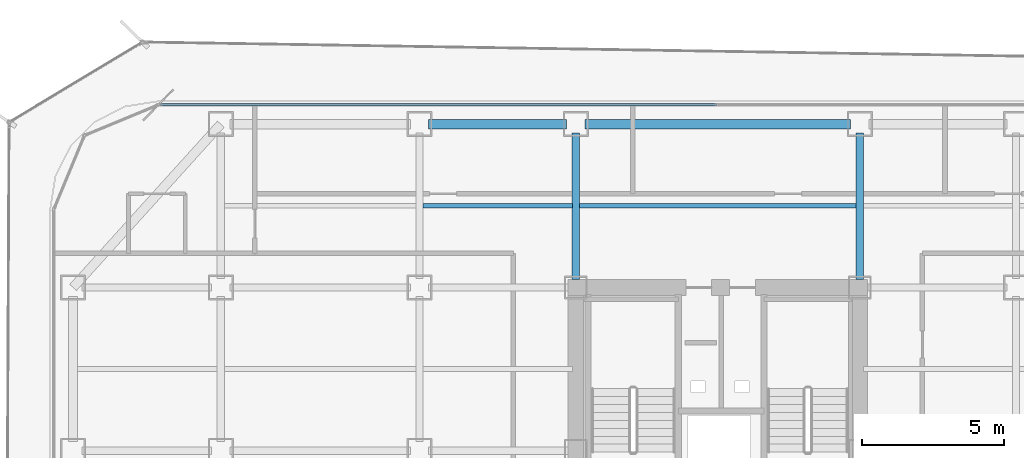
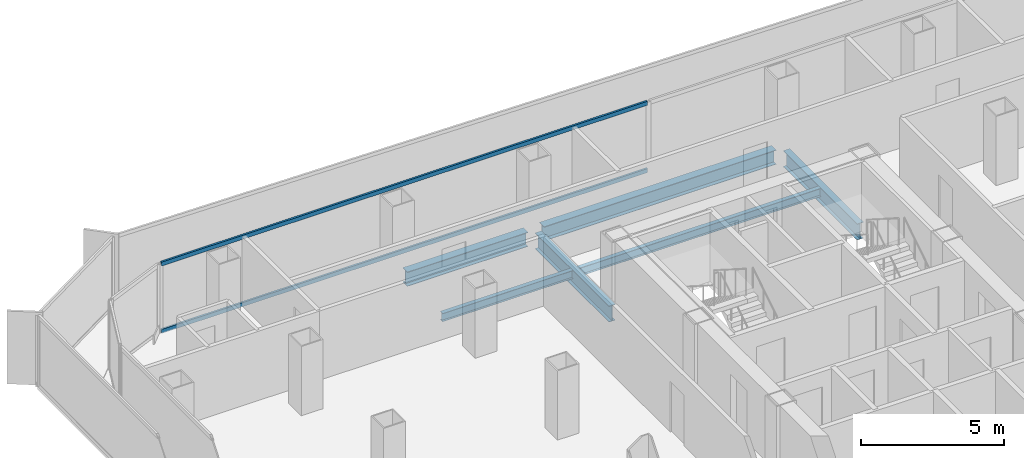
# One storey, part 11 of 21: 6 beams, 2 members, 1 element without a shape of its own.
"""IFC4 building model written with IfcOpenShell, lengths in metres."""

import ifcopenshell
import ifcopenshell.guid

model = None  # the IFC model being written
_history = None  # IfcOwnerHistory: only IFC2X3 demands one
_inside = {}  # id of a spatial element -> (the spatial element, [elements in it])
_under = {}  # id of a project, library or spatial element -> (it, [spatial elements below it])
_declared = {}  # id of a project -> (the project, [libraries it declares])
_typed = {}  # id of a type object -> (the type object, [elements of that type])
_made_of = {}  # id of a material, layer set ... -> (it, [elements and type objects made of it])


def new_model(schema):
    """Start an empty IFC model of exactly this schema.

    Asked for "IFC4X3", IfcOpenShell would pick the latest addendum, in which some entities
    have other attributes; the version numbers below select the first issue.
    IFC2X3 requires an IfcOwnerHistory on every rooted entity: one is made here for all.
    """
    global model, _history
    if schema == "IFC4X3":
        model = ifcopenshell.file(schema_version=(4, 3, 0, 0))
    else:
        model = ifcopenshell.file(schema=schema)
    _inside.clear()
    _under.clear()
    _declared.clear()
    _typed.clear()
    _made_of.clear()
    _history = None
    if model.schema == "IFC2X3":
        org = make("IfcOrganization", Name="unknown")
        user = make(
            "IfcPersonAndOrganization",
            ThePerson=make("IfcPerson", FamilyName="unknown"),
            TheOrganization=org,
        )
        app = make(
            "IfcApplication",
            ApplicationDeveloper=org,
            Version="unknown",
            ApplicationFullName="unknown",
            ApplicationIdentifier="unknown",
        )
        _history = make(
            "IfcOwnerHistory",
            OwningUser=user,
            OwningApplication=app,
            ChangeAction="ADDED",
            CreationDate=0,
        )
    return model


def make(cls, **values):
    """One entity of the class cls with the attributes given. An attribute that is None is left unset."""
    return model.create_entity(
        cls, **{name: value for name, value in values.items() if value is not None}
    )


def rooted(cls, **values):
    """An entity with a GlobalId (a new one), such as an element, a storey or a relation."""
    return make(cls, GlobalId=ifcopenshell.guid.new(), OwnerHistory=_history, **values)


def si_unit(unit_type, name, prefix=None):
    """IfcSIUnit, for example si_unit("LENGTHUNIT", "METRE", prefix="MILLI")."""
    return make("IfcSIUnit", UnitType=unit_type, Prefix=prefix, Name=name)


def assignment(units):
    """IfcUnitAssignment: the units of a project."""
    return None if units is None else make("IfcUnitAssignment", Units=units)


def point(xyz):
    """IfcCartesianPoint."""
    return None if xyz is None else make("IfcCartesianPoint", Coordinates=xyz)


def direction(xyz):
    """IfcDirection."""
    return None if xyz is None else make("IfcDirection", DirectionRatios=xyz)


def frame(location, z_axis=None, x_axis=None):
    """IfcAxis2Placement3D, a coordinate frame: its origin and axes. An axis left out is left unset."""
    return make(
        "IfcAxis2Placement3D",
        Location=point(location),
        Axis=direction(z_axis),
        RefDirection=direction(x_axis),
    )


def frame_2d(location, x_axis=None):
    """IfcAxis2Placement2D, a coordinate frame in the plane: its origin and x axis."""
    return make(
        "IfcAxis2Placement2D", Location=point(location), RefDirection=direction(x_axis)
    )


def origin():
    """The frame at (0, 0, 0) with its axes left unset."""
    return frame((0.0, 0.0, 0.0))


def origin_2d():
    """The frame at (0, 0) in the plane with its x axis left unset."""
    return frame_2d((0.0, 0.0))


def place(relative_to, where):
    """IfcLocalPlacement: puts the frame where relative to a parent placement (None: the world)."""
    return make(
        "IfcLocalPlacement", PlacementRelTo=relative_to, RelativePlacement=where
    )


def context(
    kind, dimensions, precision=None, world=None, true_north=None, identifier=None
):
    """IfcGeometricRepresentationContext, for example the 3D "Model" context."""
    return make(
        "IfcGeometricRepresentationContext",
        ContextIdentifier=identifier,
        ContextType=kind,
        CoordinateSpaceDimension=dimensions,
        Precision=precision,
        WorldCoordinateSystem=world,
        TrueNorth=true_north,
    )


def subcontext(parent, identifier, kind, view, scale=None):
    """IfcGeometricRepresentationSubContext, for example "Body" below "Model"."""
    return make(
        "IfcGeometricRepresentationSubContext",
        ContextIdentifier=identifier,
        ContextType=kind,
        ParentContext=parent,
        TargetScale=scale,
        TargetView=view,
    )


def project(units=None, contexts=None):
    """IfcProject with its units and contexts."""
    return rooted(
        "IfcProject",
        Name="project",
        RepresentationContexts=contexts,
        UnitsInContext=assignment(units),
    )


def spatial(cls, under=None, at=None, **own):
    """A site, building, storey or space (cls), placed at a placement, below another one or the project."""
    s = rooted(cls, ObjectPlacement=at, **own)
    if under is not None:
        _under.setdefault(under.id(), (under, []))[1].append(s)
    return s


def profile(cls, at=None, kind="AREA", **sizes):
    """A parametric profile (cls). Its sizes go by their IFC names, for example OverallWidth=200.0."""
    return make(cls, ProfileType=kind, Position=at, **sizes)


def hollow_rectangle(**sizes):
    """IfcRectangleHollowProfileDef."""
    return profile("IfcRectangleHollowProfileDef", **sizes)


def i_section(**sizes):
    """IfcIShapeProfileDef."""
    return profile("IfcIShapeProfileDef", **sizes)


def extrude(swept, where, along, depth):
    """IfcExtrudedAreaSolid: the profile swept, set in the frame where, extruded along a direction by depth."""
    return make(
        "IfcExtrudedAreaSolid",
        SweptArea=swept,
        Position=where,
        ExtrudedDirection=direction(along),
        Depth=depth,
    )


def shape(context_of_items, identifier, shape_type, items):
    """IfcShapeRepresentation: the items that make up one representation, for example the "Body"."""
    return make(
        "IfcShapeRepresentation",
        ContextOfItems=context_of_items,
        RepresentationIdentifier=identifier,
        RepresentationType=shape_type,
        Items=items,
    )


def source(mapping_origin, context_of_items, identifier, shape_type, items):
    """IfcRepresentationMap: a shape defined once, which mapped items show again and again."""
    return make(
        "IfcRepresentationMap",
        MappingOrigin=mapping_origin,
        MappedRepresentation=shape(context_of_items, identifier, shape_type, items),
    )


def transform(
    local_origin,
    x_axis=None,
    y_axis=None,
    z_axis=None,
    scale=None,
    scale2=None,
    scale3=None,
    uniform=True,
):
    """IfcCartesianTransformationOperator3D, or its non-uniform kind. x_axis, y_axis, z_axis: its Axis1, 2, 3."""
    if uniform:
        return make(
            "IfcCartesianTransformationOperator3D",
            Axis1=direction(x_axis),
            Axis2=direction(y_axis),
            LocalOrigin=point(local_origin),
            Scale=scale,
            Axis3=direction(z_axis),
        )
    return make(
        "IfcCartesianTransformationOperator3DnonUniform",
        Axis1=direction(x_axis),
        Axis2=direction(y_axis),
        LocalOrigin=point(local_origin),
        Scale=scale,
        Axis3=direction(z_axis),
        Scale2=scale2,
        Scale3=scale3,
    )


def mapped(mapping_source, mapping_target):
    """IfcMappedItem: shows the shape of a source again, moved by a transform."""
    return make(
        "IfcMappedItem", MappingSource=mapping_source, MappingTarget=mapping_target
    )


def material(Name=None, Category=None):
    """IfcMaterial."""
    return make("IfcMaterial", Name=Name, Category=Category)


def layer(
    of_material, thickness, ventilated=None, Name=None, Category=None, Priority=None
):
    """IfcMaterialLayer: one layer of a wall or slab, of a material (None: an air gap)."""
    return make(
        "IfcMaterialLayer",
        Material=of_material,
        LayerThickness=thickness,
        IsVentilated=ventilated,
        Name=Name,
        Category=Category,
        Priority=Priority,
    )


def layer_set(layers, Name=None):
    """IfcMaterialLayerSet."""
    return make("IfcMaterialLayerSet", MaterialLayers=layers, LayerSetName=Name)


def material_profile(
    of_material, cross_section, Name=None, Category=None, Priority=None
):
    """IfcMaterialProfile: a cross section and its material."""
    return make(
        "IfcMaterialProfile",
        Name=Name,
        Material=of_material,
        Profile=cross_section,
        Priority=Priority,
        Category=Category,
    )


def profile_set(profiles, Name=None, composite=None):
    """IfcMaterialProfileSet."""
    return make(
        "IfcMaterialProfileSet",
        Name=Name,
        MaterialProfiles=profiles,
        CompositeProfile=composite,
    )


def made_of(thing, what):
    """Note that an element or type object is made of a material, layer set ...; save() writes the relation."""
    if what is not None:
        _made_of.setdefault(what.id(), (what, []))[1].append(thing)
    return thing


def type_object(cls, material=None, **own):
    """A type object (cls), such as IfcWallType, which elements share."""
    return made_of(rooted(cls, **own), material)


def element(
    cls,
    number,
    at=None,
    inside=None,
    cuts=None,
    type_object=None,
    material=None,
    context=None,
    identifier="Body",
    shape_type=None,
    held_by="IfcProductDefinitionShape",
    body=None,
    shapes=None,
    **own,
):
    """One element of the class cls, such as IfcWall. Its Tag is "e" and its number.

    at: its placement. inside: the storey or other place that contains it. cuts: it is an
    opening in that element (IfcRelVoidsElement). A single representation is given by context,
    identifier, shape_type and body (its items); several are given by shapes. held_by: the class
    of the entity that holds the representations. save() writes the other relations.
    """
    e = rooted(cls, Tag="e%d" % number, ObjectPlacement=at, **own)
    if body is not None:
        shapes = [shape(context, identifier, shape_type, body)]
    if shapes is not None:
        e.Representation = make(held_by, Representations=shapes)
    if inside is not None:
        _inside.setdefault(inside.id(), (inside, []))[1].append(e)
    if cuts is not None:
        rooted(
            "IfcRelVoidsElement", RelatingBuildingElement=cuts, RelatedOpeningElement=e
        )
    if type_object is not None:
        _typed.setdefault(type_object.id(), (type_object, []))[1].append(e)
    return made_of(e, material)


def aggregate(whole, parts):
    """IfcRelAggregates: a whole, such as a stair, and the parts it consists of."""
    return rooted("IfcRelAggregates", RelatingObject=whole, RelatedObjects=parts)


def save(model, path):
    """Write the relations noted so far, then the file.

    IfcRelAggregates (storeys below a building ...), IfcRelContainedInSpatialStructure (elements
    in a storey), IfcRelDefinesByType, IfcRelAssociatesMaterial and IfcRelDeclares: one each for
    every whole, place, type object, material and project.
    """
    for whole, parts in _under.values():
        aggregate(whole, parts)
    for where, things in _inside.values():
        rooted(
            "IfcRelContainedInSpatialStructure",
            RelatedElements=things,
            RelatingStructure=where,
        )
    for kind, things in _typed.values():
        rooted("IfcRelDefinesByType", RelatedObjects=things, RelatingType=kind)
    for what, things in _made_of.values():
        rooted("IfcRelAssociatesMaterial", RelatedObjects=things, RelatingMaterial=what)
    for by, libraries in _declared.values():
        rooted("IfcRelDeclares", RelatingContext=by, RelatedDefinitions=libraries)
    model.write(path)


model = new_model("IFC4")

# Units and contexts
model_context = context("Model", 3, precision=1e-05, world=origin(), true_north=direction((0.0, 1.0)))
body_context = subcontext(model_context, "Body", "Model", "MODEL_VIEW")
ifc_project = project(units=[si_unit("LENGTHUNIT", "METRE"), si_unit("AREAUNIT", "SQUARE_METRE"), si_unit("VOLUMEUNIT", "CUBIC_METRE"), si_unit("PLANEANGLEUNIT", "RADIAN"), si_unit("MASSUNIT", "GRAM", prefix="KILO")], contexts=[model_context])

# Site, building, storey
site_placement = place(None, origin())
site = spatial("IfcSite", under=ifc_project, at=site_placement, CompositionType="ELEMENT")
building_placement = place(site_placement, origin())
building = spatial("IfcBuilding", under=site, at=building_placement, Name="Kolveth Station Tower", CompositionType="ELEMENT")
storey_placement = place(building_placement, frame((0.0, 0.0, 118.300048828125)))
storey = spatial("IfcBuildingStorey", under=building, at=storey_placement, Name="L32", CompositionType="ELEMENT", Elevation=118.300048828125)

# Beams
ifc_material_1 = material(Name="Steel S355", Category="steel")
ifc_material_profile_1 = material_profile(ifc_material_1, i_section(OverallWidth=0.323974609375, OverallDepth=0.611083984375, WebThickness=0.0126953125, FlangeThickness=0.01904296875, at=origin_2d()), Name="W610x155")
ifc_profile_set_1 = profile_set([ifc_material_profile_1], Name="Steel S355")
beam_type_1 = type_object("IfcBeamType", Name="Beam_SP2", PredefinedType="SPANDREL", material=ifc_profile_set_1)
shared_shape_1 = source(origin(), body_context, "Body", "SweptSolid", [
    extrude(i_section(OverallWidth=0.323974609375, OverallDepth=0.611083984375, WebThickness=0.0126953125, FlangeThickness=0.01904296875, at=origin_2d()), origin(), (0.0, 0.0, 1.0), 4.85986328125),
])
beam_1_placement = place(storey_placement, frame((13.320068359375, 34.5, -0.5556640625), z_axis=(1.0, 0.0, 0.0), x_axis=(0.0, 1.0, 0.0)))
element("IfcBeam", 1, at=beam_1_placement, inside=storey, type_object=beam_type_1, Name="L32 Perimeter Spandrel BM-L32-PN-2", PredefinedType="SPANDREL", context=body_context, shape_type="MappedRepresentation", body=[
    mapped(shared_shape_1, transform((0.0, 0.0, 0.0), x_axis=(1.0, 0.0, 0.0), y_axis=(0.0, 1.0, 0.0), z_axis=(0.0, 0.0, 1.0), scale=1.0)),
])
shared_shape_2 = source(origin(), body_context, "Body", "SweptSolid", [
    extrude(i_section(OverallWidth=0.323974609375, OverallDepth=0.611083984375, WebThickness=0.0126953125, FlangeThickness=0.01904296875, at=origin_2d()), origin(), (0.0, 0.0, 1.0), 9.35986328125),
])
beam_2_placement = place(storey_placement, frame((18.820068359375, 34.5, -0.5556640625), z_axis=(1.0, 0.0, 0.0), x_axis=(0.0, 1.0, 0.0)))
element("IfcBeam", 2, at=beam_2_placement, inside=storey, type_object=beam_type_1, Name="L32 Perimeter Spandrel BM-L32-PN-3", PredefinedType="SPANDREL", context=body_context, shape_type="MappedRepresentation", body=[
    mapped(shared_shape_2, transform((0.0, 0.0, 0.0), x_axis=(1.0, 0.0, 0.0), y_axis=(0.0, 1.0, 0.0), z_axis=(0.0, 0.0, 1.0), scale=1.0)),
])
ifc_material_profile_2 = material_profile(ifc_material_1, i_section(OverallWidth=0.25390625, OverallDepth=0.68798828125, WebThickness=0.01318359375, FlangeThickness=0.02099609375, at=origin_2d()), Name="W690x152")
ifc_profile_set_2 = profile_set([ifc_material_profile_2], Name="Steel S355")
beam_type_2 = type_object("IfcBeamType", Name="Beam_B4", PredefinedType="BEAM", material=ifc_profile_set_2)
shared_shape_3 = source(origin(), body_context, "Body", "SweptSolid", [
    extrude(i_section(OverallWidth=0.25390625, OverallDepth=0.68798828125, WebThickness=0.01318359375, FlangeThickness=0.02099609375, at=origin_2d()), origin(), (0.0, 0.0, 1.0), 5.14990234375),
])
for number, where, z_axis, x_axis, name in (
    (3, (18.5, 29.030029296875, -0.593994140625), (0.0, 1.0, 0.0), (-1.0, 0.0, 0.0), "L32 Primary Girder BM-L32-GX185-6"),
    (4, (28.5, 29.030029296875, -0.593994140625), (0.0, 1.0, 0.0), (-1.0, 0.0, 0.0), "L32 Primary Girder BM-L32-GX285-6"),
):
    element("IfcBeam", number, at=place(storey_placement, frame(where, z_axis=z_axis, x_axis=x_axis)), inside=storey, type_object=beam_type_2, Name=name, PredefinedType="BEAM", context=body_context, shape_type="MappedRepresentation", body=[
        mapped(shared_shape_3, transform((0.0, 0.0, 0.0), x_axis=(1.0, 0.0, 0.0), y_axis=(0.0, 1.0, 0.0), z_axis=(0.0, 0.0, 1.0), scale=1.0)),
    ])
ifc_material_profile_3 = material_profile(ifc_material_1, i_section(OverallWidth=0.1708984375, OverallDepth=0.35205078125, WebThickness=0.0068359375, FlangeThickness=0.009765625, at=origin_2d()), Name="W360x44")
ifc_profile_set_3 = profile_set([ifc_material_profile_3], Name="Steel S355")
beam_type_3 = type_object("IfcBeamType", Name="Beam_J2", PredefinedType="JOIST", material=ifc_profile_set_3)
shared_shape_4 = source(origin(), body_context, "Body", "SweptSolid", [
    extrude(i_section(OverallWidth=0.1708984375, OverallDepth=0.35205078125, WebThickness=0.0068359375, FlangeThickness=0.009765625, at=origin_2d()), origin(), (0.0, 0.0, 1.0), 5.25),
])
beam_3_placement = place(storey_placement, frame((13.125, 31.625, -0.426025390625), z_axis=(1.0, 0.0, 0.0), x_axis=(0.0, 1.0, 0.0)))
element("IfcBeam", 5, at=beam_3_placement, inside=storey, type_object=beam_type_3, Name="L32 Secondary Joist JST-L32-3-6", PredefinedType="JOIST", context=body_context, shape_type="MappedRepresentation", body=[
    mapped(shared_shape_4, transform((0.0, 0.0, 0.0), x_axis=(1.0, 0.0, 0.0), y_axis=(0.0, 1.0, 0.0), z_axis=(0.0, 0.0, 1.0), scale=1.0)),
])
shared_shape_5 = source(origin(), body_context, "Body", "SweptSolid", [
    extrude(i_section(OverallWidth=0.1708984375, OverallDepth=0.35205078125, WebThickness=0.0068359375, FlangeThickness=0.009765625, at=origin_2d()), origin(), (0.0, 0.0, 1.0), 9.75),
])
beam_4_placement = place(storey_placement, frame((18.625, 31.625, -0.426025390625), z_axis=(1.0, 0.0, 0.0), x_axis=(0.0, 1.0, 0.0)))
element("IfcBeam", 6, at=beam_4_placement, inside=storey, type_object=beam_type_3, Name="L32 Secondary Joist JST-L32-4-6", PredefinedType="JOIST", context=body_context, shape_type="MappedRepresentation", body=[
    mapped(shared_shape_5, transform((0.0, 0.0, 0.0), x_axis=(1.0, 0.0, 0.0), y_axis=(0.0, 1.0, 0.0), z_axis=(0.0, 0.0, 1.0), scale=1.0)),
])

# Curtain wall, members
ifc_material_2 = material(Name="Aluminium 6063-T6 and low-E dark glass", Category="aluminium")
ifc_layer = layer(ifc_material_2, 0.18994140625)
ifc_layer_set = layer_set([ifc_layer], Name="Aluminium 6063-T6 and low-E dark glass")
curtain_wall_type = type_object("IfcCurtainWallType", Name="CurtainWall_CW-Z2", PredefinedType="NOTDEFINED", material=ifc_layer_set)
curtain_wall_placement = place(storey_placement, origin())
curtain_wall = element("IfcCurtainWall", 7, at=curtain_wall_placement, inside=storey, type_object=curtain_wall_type, Name="L32 Inner Thermal Curtain Wall 6", PredefinedType="NOTDEFINED")
ifc_material_3 = material(Name="Black anodized aluminium 6063-T6", Category="aluminium")
ifc_material_profile_4 = material_profile(ifc_material_3, hollow_rectangle(XDim=0.080078125, YDim=0.169921875, WallThickness=0.0048828125, at=origin_2d()), Name="ALU-80x170x5")
ifc_profile_set_4 = profile_set([ifc_material_profile_4], Name="Black anodized aluminium 6063-T6")
member_type = type_object("IfcMemberType", Name="Transom_TR2", PredefinedType="USERDEFINED", material=ifc_profile_set_4)
shared_shape_6 = source(origin(), body_context, "Body", "SweptSolid", [
    extrude(hollow_rectangle(XDim=0.080078125, YDim=0.169921875, WallThickness=0.0048828125, at=origin_2d()), origin(), (0.0, 0.0, 1.0), 19.580078125),
])
member_1_placement = place(storey_placement, frame((23.4599609375, 35.179931640625, 0.0400390625), z_axis=(-1.0, 0.0, 0.0), x_axis=(0.0, -1.0, 0.0)))
member_1 = element("IfcMember", 8, at=member_1_placement, type_object=member_type, Name="CW-Z2 transom 2.1", ObjectType="TRANSOM", PredefinedType="USERDEFINED", context=body_context, shape_type="MappedRepresentation", body=[
    mapped(shared_shape_6, transform((0.0, 0.0, 0.0), x_axis=(1.0, 0.0, 0.0), y_axis=(0.0, 1.0, 0.0), z_axis=(0.0, 0.0, 1.0), scale=1.0)),
])
member_2_placement = place(storey_placement, frame((23.4599609375, 35.179931640625, 2.909912109375), z_axis=(-1.0, 0.0, 0.0), x_axis=(0.0, -1.0, 0.0)))
member_2 = element("IfcMember", 9, at=member_2_placement, type_object=member_type, Name="CW-Z2 transom 2.2", ObjectType="TRANSOM", PredefinedType="USERDEFINED", context=body_context, shape_type="MappedRepresentation", body=[
    mapped(shared_shape_6, transform((0.0, 0.0, 0.0), x_axis=(1.0, 0.0, 0.0), y_axis=(0.0, 1.0, 0.0), z_axis=(0.0, 0.0, 1.0), scale=1.0)),
])
aggregate(curtain_wall, [member_1, member_2])

save(model, "model.ifc")
